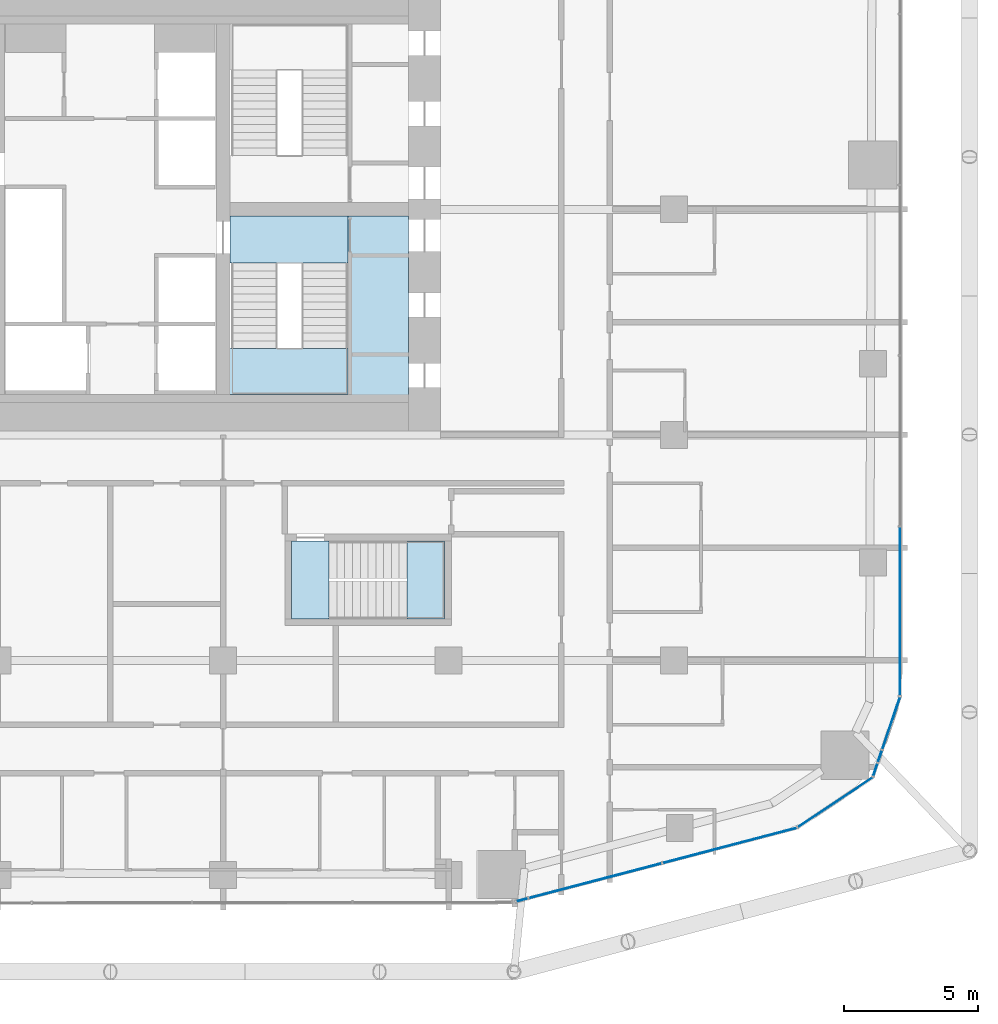
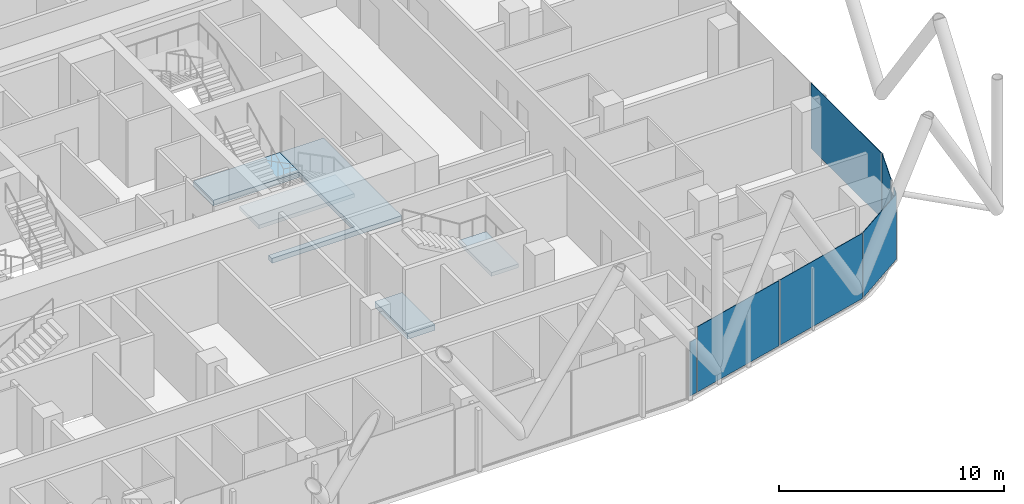
# One storey, part 20 of 35: 8 plates, 5 slabs, 9 elements without a shape of their own.
"""IFC4 building model written with IfcOpenShell, lengths in metres."""

from ifc_helpers import new_model, si_unit, direction, frame, origin, origin_2d, place, context, subcontext, project, spatial, polyline, rectangle, outline, extrude, material, layer, layer_set, type_object, element, aggregate, save


model = new_model("IFC4")

# Units and contexts
model_context = context("Model", 3, precision=1e-05, world=origin(), true_north=direction((0.0, 1.0)))
body_context = subcontext(model_context, "Body", "Model", "MODEL_VIEW")
ifc_project = project(units=[si_unit("LENGTHUNIT", "METRE"), si_unit("AREAUNIT", "SQUARE_METRE"), si_unit("VOLUMEUNIT", "CUBIC_METRE"), si_unit("PLANEANGLEUNIT", "RADIAN"), si_unit("MASSUNIT", "GRAM", prefix="KILO")], contexts=[model_context])

# Site, building, storey
site_placement = place(None, origin())
site = spatial("IfcSite", under=ifc_project, at=site_placement, CompositionType="ELEMENT")
building_placement = place(site_placement, origin())
building = spatial("IfcBuilding", under=site, at=building_placement, Name="Marenta Gate Hotel Tower", CompositionType="ELEMENT")
storey_placement = place(building_placement, frame((0.0, 0.0, 61.699951171875)))
storey = spatial("IfcBuildingStorey", under=building, at=storey_placement, Name="L13", CompositionType="ELEMENT", Elevation=61.699951171875)

# Slab
ifc_material_1 = material(Name="Concrete C40", Category="concrete")
ifc_layer_1 = layer(ifc_material_1, 0.260009765625)
ifc_layer_set_1 = layer_set([ifc_layer_1], Name="Concrete C40")
slab_type_1 = type_object("IfcSlabType", Name="Core floor slab 260", PredefinedType="FLOOR", material=ifc_layer_set_1)
slab_1_placement = place(storey_placement, frame((0.0, 0.0, -0.260009765625)))
element("IfcSlab", 1, at=slab_1_placement, inside=storey, type_object=slab_type_1, Name="L13-CF-2", PredefinedType="FLOOR", context=body_context, shape_type="SweptSolid", body=[
    extrude(outline(polyline([(8.85009765625, 1.5), (8.85009765625, 6.39990234375), (8.85009765625, 8.10009765625), (8.85009765625, 8.14990234375), (11.10009765625, 8.14990234375), (11.10009765625, 1.199951171875), (4.449951171875, 1.199951171875), (4.449951171875, 1.5), (8.85009765625, 1.5)])), origin(), (0.0, 0.0, 1.0), 0.260009765625),
])

# Stair, slab
ifc_material_2 = material(Name="Concrete C40", Category="concrete")
stair_type_1 = type_object("IfcStairType", Name="Core exit stair 1700 wide", PredefinedType="HALF_TURN_STAIR", material=ifc_material_2)
stair_1_placement = place(storey_placement, origin())
stair_1 = element("IfcStair", 2, at=stair_1_placement, inside=storey, type_object=stair_type_1, Name="Exit stair 3", PredefinedType="HALF_TURN_STAIR")
ifc_material_3 = material(Name="Concrete C40", Category="concrete")
ifc_layer_2 = layer(ifc_material_3, 0.199951171875)
ifc_layer_set_2 = layer_set([ifc_layer_2], Name="Concrete C40")
slab_type_2 = type_object("IfcSlabType", Name="Core stair landing 200", PredefinedType="LANDING", material=ifc_layer_set_2)
slab_2_placement = place(storey_placement, frame((0.0, 0.0, 1.60009765625)))
slab_2 = element("IfcSlab", 3, at=slab_2_placement, type_object=slab_type_2, Name="SL-200 ST3 landing 1", PredefinedType="LANDING", context=body_context, shape_type="SweptSolid", body=[
    extrude(outline(polyline([(3.949951171875, 1.5), (8.85009765625, 1.5), (8.85009765625, 3.2099609375), (3.949951171875, 3.2099609375), (3.949951171875, 1.5)])), origin(), (0.0, 0.0, 1.0), 0.199951171875),
])
aggregate(stair_1, [slab_2])

# Curtain wall, plate
ifc_material_4 = material(Name="Tinted insulated glass in bronze anodised frame", Category="glass")
ifc_layer_3 = layer(ifc_material_4, 0.1201171875)
ifc_layer_set_3 = layer_set([ifc_layer_3], Name="Tinted insulated glass in bronze anodised frame")
curtain_wall_type = type_object("IfcCurtainWallType", Name="Tower unitised curtain wall CW1", PredefinedType="NOTDEFINED", material=ifc_layer_set_3)
curtain_wall_1_placement = place(storey_placement, origin())
curtain_wall_1 = element("IfcCurtainWall", 4, at=curtain_wall_1_placement, inside=storey, type_object=curtain_wall_type, Name="CW1 run G12", PredefinedType="NOTDEFINED")
ifc_material_5 = material(Name="Tinted insulated glass", Category="glass")
ifc_layer_4 = layer(ifc_material_5, 0.028076171875)
ifc_layer_set_4 = layer_set([ifc_layer_4], Name="Tinted insulated glass")
plate_type = type_object("IfcPlateType", Name="Glass panel CW1 28 mm tinted insulated unit", PredefinedType="CURTAIN_PANEL", material=ifc_layer_set_4)
plate_1_placement = place(storey_placement, frame((15.337158203125, -17.322998046875, 0.06005859375), z_axis=(0.0, 0.0, 1.0), x_axis=(0.967355319897, 0.25342392363, 0.0)))
plate_1 = element("IfcPlate", 5, at=plate_1_placement, type_object=plate_type, Name="CW1 panel 1.1", PredefinedType="CURTAIN_PANEL", context=body_context, shape_type="SweptSolid", body=[
    extrude(rectangle(XDim=0.42333984375, YDim=0.028076171875, at=origin_2d()), origin(), (0.0, 0.0, 1.0), 2.9404296875),
])
aggregate(curtain_wall_1, [plate_1])

# Curtain wall, plates
curtain_wall_2_placement = place(storey_placement, origin())
curtain_wall_2 = element("IfcCurtainWall", 6, at=curtain_wall_2_placement, inside=storey, type_object=curtain_wall_type, Name="CW1 run G13", PredefinedType="NOTDEFINED")
plate_2_placement = place(storey_placement, frame((18.06298828125, -16.609130859375, 0.06005859375), z_axis=(0.0, 0.0, 1.0), x_axis=(0.967371097224, 0.253363691666, 0.0)))
plate_2 = element("IfcPlate", 7, at=plate_2_placement, type_object=plate_type, Name="CW1 panel 1.1", PredefinedType="CURTAIN_PANEL", context=body_context, shape_type="SweptSolid", body=[
    extrude(rectangle(XDim=5.091796875, YDim=0.028076171875, at=origin_2d()), origin(), (0.0, 0.0, 1.0), 3.5400390625),
])
plate_3_placement = place(storey_placement, frame((23.07568359375, -15.296142578125, 0.06005859375), z_axis=(0.0, 0.0, 1.0), x_axis=(0.967371097224, 0.253363691666, 0.0)))
plate_3 = element("IfcPlate", 8, at=plate_3_placement, type_object=plate_type, Name="CW1 panel 2.1", PredefinedType="CURTAIN_PANEL", context=body_context, shape_type="SweptSolid", body=[
    extrude(rectangle(XDim=5.15185546875, YDim=0.028076171875, at=origin_2d()), origin(), (0.0, 0.0, 1.0), 3.5400390625),
])
aggregate(curtain_wall_2, [plate_2, plate_3])

# Curtain wall, plate
curtain_wall_3_placement = place(storey_placement, origin())
curtain_wall_3 = element("IfcCurtainWall", 9, at=curtain_wall_3_placement, inside=storey, type_object=curtain_wall_type, Name="CW1 run G14", PredefinedType="NOTDEFINED")
plate_4_placement = place(storey_placement, frame((27.006591796875, -13.685791015625, 0.06005859375), z_axis=(0.0, 0.0, 1.0), x_axis=(0.832493824282, 0.554034324326, 0.0)))
plate_4 = element("IfcPlate", 10, at=plate_4_placement, type_object=plate_type, Name="CW1 panel 1.1", PredefinedType="CURTAIN_PANEL", context=body_context, shape_type="SweptSolid", body=[
    extrude(rectangle(XDim=3.33740234375, YDim=0.028076171875, at=origin_2d()), origin(), (0.0, 0.0, 1.0), 3.5400390625),
])
aggregate(curtain_wall_3, [plate_4])

curtain_wall_4_placement = place(storey_placement, origin())
curtain_wall_4 = element("IfcCurtainWall", 11, at=curtain_wall_4_placement, inside=storey, type_object=curtain_wall_type, Name="CW1 run G15", PredefinedType="NOTDEFINED")
plate_5_placement = place(storey_placement, frame((28.493408203125, -12.474609375, 0.06005859375), z_axis=(0.0, 0.0, 1.0), x_axis=(0.322050601446, 0.946722456746, 0.0)))
plate_5 = element("IfcPlate", 12, at=plate_5_placement, type_object=plate_type, Name="CW1 panel 1.1", PredefinedType="CURTAIN_PANEL", context=body_context, shape_type="SweptSolid", body=[
    extrude(rectangle(XDim=0.485595703125, YDim=0.028076171875, at=origin_2d()), origin(), (0.0, 0.0, 1.0), 3.5400390625),
])
aggregate(curtain_wall_4, [plate_5])

curtain_wall_5_placement = place(storey_placement, origin())
curtain_wall_5 = element("IfcCurtainWall", 13, at=curtain_wall_5_placement, inside=storey, type_object=curtain_wall_type, Name="CW1 run G16", PredefinedType="NOTDEFINED")
plate_6_placement = place(storey_placement, frame((28.663330078125, -11.974853515625, 0.06005859375), z_axis=(0.0, 0.0, 1.0), x_axis=(0.321979977321, 0.946746478316, 0.0)))
plate_6 = element("IfcPlate", 14, at=plate_6_placement, type_object=plate_type, Name="CW1 panel 1.1", PredefinedType="CURTAIN_PANEL", context=body_context, shape_type="SweptSolid", body=[
    extrude(rectangle(XDim=0.45068359375, YDim=0.028076171875, at=origin_2d()), origin(), (0.0, 0.0, 1.0), 2.9404296875),
])
aggregate(curtain_wall_5, [plate_6])

curtain_wall_6_placement = place(storey_placement, origin())
curtain_wall_6 = element("IfcCurtainWall", 15, at=curtain_wall_6_placement, inside=storey, type_object=curtain_wall_type, Name="CW1 run G17", PredefinedType="NOTDEFINED")
plate_7_placement = place(storey_placement, frame((29.084716796875, -10.736328125, 0.06005859375), z_axis=(0.0, 0.0, 1.0), x_axis=(0.322034696135, 0.946727867175, 0.0)))
plate_7 = element("IfcPlate", 16, at=plate_7_placement, type_object=plate_type, Name="CW1 panel 1.1", PredefinedType="CURTAIN_PANEL", context=body_context, shape_type="SweptSolid", body=[
    extrude(rectangle(XDim=2.045654296875, YDim=0.028076171875, at=origin_2d()), origin(), (0.0, 0.0, 1.0), 3.5400390625),
])
aggregate(curtain_wall_6, [plate_7])

curtain_wall_7_placement = place(storey_placement, origin())
curtain_wall_7 = element("IfcCurtainWall", 17, at=curtain_wall_7_placement, inside=storey, type_object=curtain_wall_type, Name="CW1 run G18", PredefinedType="NOTDEFINED")
plate_8_placement = place(storey_placement, frame((29.4140625, -6.572998046875, 0.06005859375), z_axis=(0.0, 0.0, 1.0), x_axis=(0.0, 1.0, 0.0)))
plate_8 = element("IfcPlate", 18, at=plate_8_placement, type_object=plate_type, Name="CW1 panel 1.1", PredefinedType="CURTAIN_PANEL", context=body_context, shape_type="SweptSolid", body=[
    extrude(rectangle(XDim=6.27001953125, YDim=0.028076171875, at=origin_2d()), origin(), (0.0, 0.0, 1.0), 3.5400390625),
])
aggregate(curtain_wall_7, [plate_8])

# Stair, slab
ifc_material_6 = material(Name="Concrete C40", Category="concrete")
stair_type_2 = type_object("IfcStairType", Name="Remote exit stair 1400 wide", PredefinedType="HALF_TURN_STAIR", material=ifc_material_6)
stair_2_placement = place(storey_placement, origin())
stair_2 = element("IfcStair", 19, at=stair_2_placement, inside=storey, type_object=stair_type_2, Name="Exit stair RS-Z1-1", PredefinedType="HALF_TURN_STAIR")
ifc_material_7 = material(Name="Concrete C40", Category="concrete")
ifc_layer_5 = layer(ifc_material_7, 0.199951171875)
ifc_layer_set_5 = layer_set([ifc_layer_5], Name="Concrete C40")
slab_type_3 = type_object("IfcSlabType", Name="Remote stair landing 200", PredefinedType="LANDING", material=ifc_layer_set_5)
slab_3_placement = place(storey_placement, frame((0.0, 0.0, 1.60009765625)))
slab_3 = element("IfcSlab", 20, at=slab_3_placement, type_object=slab_type_3, Name="RL-200 RS-Z1-1 landing 1", PredefinedType="LANDING", context=body_context, shape_type="SweptSolid", body=[
    extrude(outline(polyline([(11.050048828125, -6.85009765625), (12.449951171875, -6.85009765625), (12.449951171875, -3.949951171875), (11.050048828125, -3.949951171875), (11.050048828125, -6.85009765625)])), origin(), (0.0, 0.0, 1.0), 0.199951171875),
])
aggregate(stair_2, [slab_3])

# Slabs
ifc_material_8 = material(Name="Concrete C40", Category="concrete")
ifc_layer_6 = layer(ifc_material_8, 0.300048828125)
ifc_layer_set_6 = layer_set([ifc_layer_6], Name="Concrete C40")
slab_type_4 = type_object("IfcSlabType", Name="Stair floor landing slab 300", PredefinedType="FLOOR", material=ifc_layer_set_6)
slab_4_placement = place(storey_placement, frame((0.0, 0.0, -0.300048828125)))
element("IfcSlab", 21, at=slab_4_placement, inside=storey, type_object=slab_type_4, Name="L13-CL-ST3-1", PredefinedType="FLOOR", context=body_context, shape_type="SweptSolid", body=[
    extrude(outline(polyline([(4.449951171875, 6.39990234375), (4.449951171875, 8.14990234375), (8.85009765625, 8.14990234375), (8.85009765625, 8.10009765625), (8.85009765625, 6.39990234375), (4.449951171875, 6.39990234375)])), origin(), (0.0, 0.0, 1.0), 0.300048828125),
])
slab_5_placement = place(storey_placement, frame((0.0, 0.0, -0.300048828125)))
element("IfcSlab", 22, at=slab_5_placement, inside=storey, type_object=slab_type_4, Name="L13-RS-Z1-1-CL", PredefinedType="FLOOR", context=body_context, shape_type="SweptSolid", body=[
    extrude(outline(polyline([(8.14990234375, -6.85009765625), (8.14990234375, -3.949951171875), (6.75, -3.949951171875), (6.75, -6.85009765625), (8.14990234375, -6.85009765625)])), origin(), (0.0, 0.0, 1.0), 0.300048828125),
])

save(model, "model.ifc")
